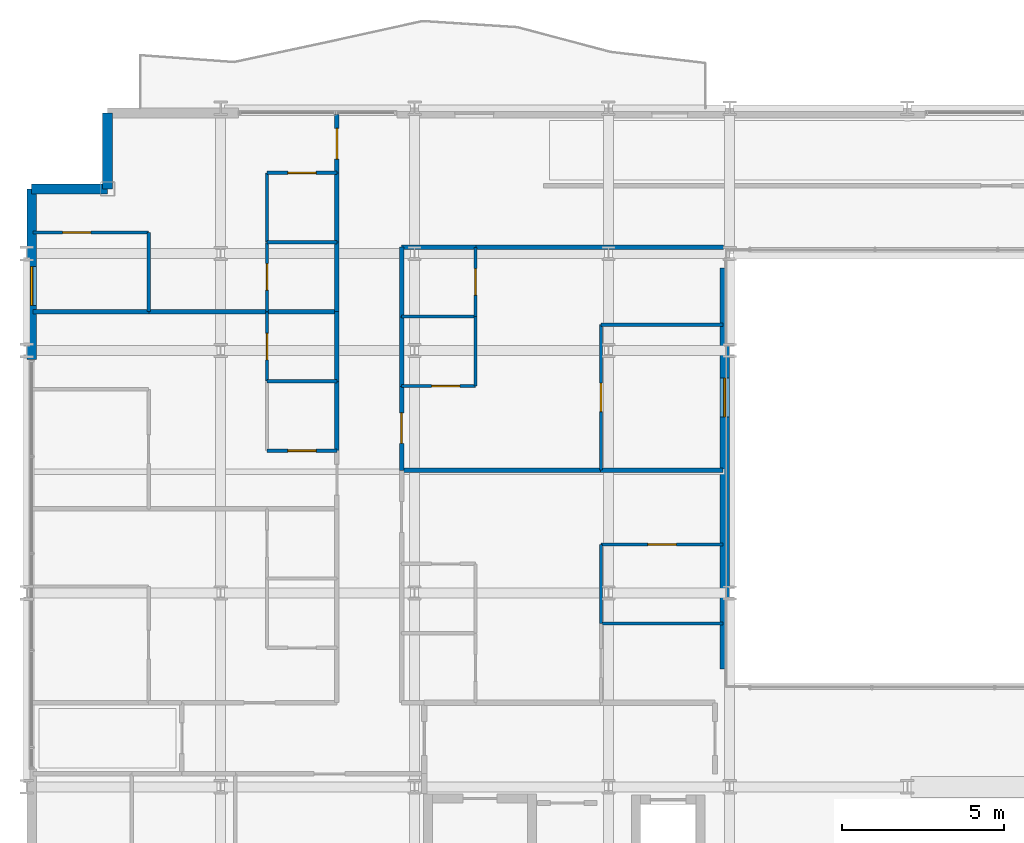
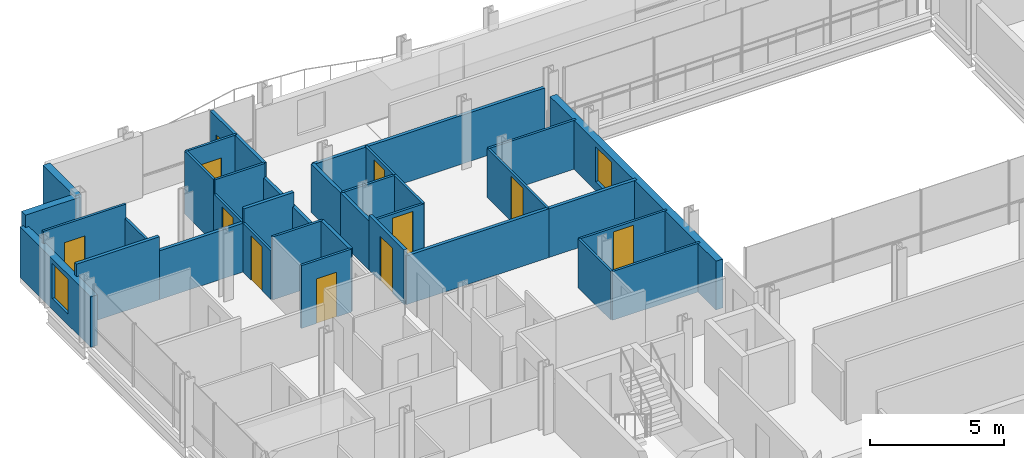
# One storey, part 33 of 41: 37 walls, 11 doors, 2 windows, 13 openings.
"""IFC4 building model written with IfcOpenShell, lengths in metres."""

from ifc_helpers import new_model, si_unit, direction, frame, frame_2d, origin, place, context, subcontext, project, spatial, rectangle, extrude, material, layer, layer_set, type_object, element, fill, save


model = new_model("IFC4")

# Units and contexts
model_context = context("Model", 3, precision=1e-05, world=origin(), true_north=direction((0.0, 1.0)))
body_context = subcontext(model_context, "Body", "Model", "MODEL_VIEW")
ifc_project = project(units=[si_unit("LENGTHUNIT", "METRE"), si_unit("AREAUNIT", "SQUARE_METRE"), si_unit("VOLUMEUNIT", "CUBIC_METRE"), si_unit("PLANEANGLEUNIT", "RADIAN"), si_unit("MASSUNIT", "GRAM", prefix="KILO")], contexts=[model_context])

# Site, building, storey
site_placement = place(None, origin())
site = spatial("IfcSite", under=ifc_project, at=site_placement, CompositionType="ELEMENT")
building_placement = place(site_placement, origin())
building = spatial("IfcBuilding", under=site, at=building_placement, Name="Brevholm Reach", CompositionType="ELEMENT")
storey_placement = place(building_placement, frame((0.0, 0.0, 86.89990234375)))
storey = spatial("IfcBuildingStorey", under=building, at=storey_placement, Name="L25", CompositionType="ELEMENT", Elevation=86.89990234375)

# Walls
ifc_material_1 = material(Name="Concrete C40/50", Category="concrete")
ifc_layer_1 = layer(ifc_material_1, 0.300048828125)
ifc_layer_set_1 = layer_set([ifc_layer_1], Name="Concrete C40/50")
wall_type_1 = type_object("IfcWallType", Name="WAL-EXT-300", PredefinedType="STANDARD", material=ifc_layer_set_1)
for number, where, z_axis, x_axis, name in (
    (1, (2.5, 30.85009765625, 0.0), (0.0, 0.0, 1.0), (0.0, -1.0, 0.0), "L25 Facade Wall WAL-L25-CNW1"),
    (2, (2.5, 28.5, 0.0), (0.0, 0.0, 1.0), (-1.0, 0.0, 0.0), "L25 Facade Wall WAL-L25-CNW2"),
):
    element("IfcWall", number, at=place(storey_placement, frame(where, z_axis=z_axis, x_axis=x_axis)), inside=storey, type_object=wall_type_1, Name=name, PredefinedType="STANDARD", context=body_context, shape_type="SweptSolid", body=[
        extrude(rectangle(XDim=2.35009765625, YDim=0.300048828125, at=frame_2d((1.175048828125, 0.0))), origin(), (0.0, 0.0, 1.0), 2.8701171875),
    ])

# Wall, opening, window
wall_1_placement = place(storey_placement, frame((0.14990234375, 28.5, 0.0), z_axis=(0.0, 0.0, 1.0), x_axis=(0.0, -1.0, 0.0)))
wall_1 = element("IfcWall", 3, at=wall_1_placement, inside=storey, type_object=wall_type_1, Name="L25 Facade Wall WAL-L25-W-N", PredefinedType="STANDARD", context=body_context, shape_type="SweptSolid", body=[
    extrude(rectangle(XDim=5.280029296875, YDim=0.300048828125, at=frame_2d((2.64013671875, 0.0))), origin(), (0.0, 0.0, 1.0), 2.3056640625),
])
opening_1_placement = place(wall_1_placement, frame((2.39990234375, 0.0, 0.485107421875)))
opening_1 = element("IfcOpeningElement", 4, at=opening_1_placement, cuts=wall_1, Name="Opening WN-08", PredefinedType="OPENING", context=body_context, shape_type="SweptSolid", body=[
    extrude(rectangle(XDim=1.199951171875, YDim=1.60009765625, at=frame_2d((0.60009765625, 0.800048828125))), frame((0.0, 0.159912109375, 0.0), z_axis=(0.0, -1.0, 0.0), x_axis=(1.0, 0.0, 0.0)), (0.0, 0.0, 1.0), 0.320068359375),
])
ifc_material_2 = material(Name="Dark Anodised Aluminium and Solar-Control IGU Glass", Category="aluminium")
window_type = type_object("IfcWindowType", Name="WIN-RES-1200", PartitioningType="SINGLE_PANEL", PredefinedType="WINDOW", material=ifc_material_2)
window_1_placement = place(opening_1_placement, origin())
window_1 = element("IfcWindow", 5, at=window_1_placement, inside=storey, type_object=window_type, Name="L25 Window WIN-L25-WN-1", OverallHeight=1.60009765625, OverallWidth=1.199951171875, PartitioningType="SINGLE_PANEL", PredefinedType="WINDOW", context=body_context, shape_type="SweptSolid", body=[
    extrude(rectangle(XDim=1.199951171875, YDim=1.60009765625, at=frame_2d((0.60009765625, 0.800048828125))), frame((0.0, 0.030029296875, 0.0), z_axis=(0.0, -1.0, 0.0), x_axis=(1.0, 0.0, 0.0)), (0.0, 0.0, 1.0), 0.06005859375),
])
fill(opening_1, window_1)

wall_2_placement = place(storey_placement, frame((21.60009765625, 26.050048828125, 0.0), z_axis=(0.0, 0.0, 1.0), x_axis=(0.0, -1.0, 0.0)))
wall_2 = element("IfcWall", 6, at=wall_2_placement, inside=storey, type_object=wall_type_1, Name="L25 Facade Wall WAL-L25-AT-W", PredefinedType="STANDARD", context=body_context, shape_type="SweptSolid", body=[
    extrude(rectangle(XDim=12.400146484375, YDim=0.300048828125, at=frame_2d((6.2001953125, 0.0))), origin(), (0.0, 0.0, 1.0), 2.224853515625),
])
opening_2_placement = place(wall_2_placement, frame((3.39990234375, 0.0, 0.405029296875)))
opening_2 = element("IfcOpeningElement", 7, at=opening_2_placement, cuts=wall_2, Name="Opening WN-08", PredefinedType="OPENING", context=body_context, shape_type="SweptSolid", body=[
    extrude(rectangle(XDim=1.199951171875, YDim=1.60009765625, at=frame_2d((0.60009765625, 0.800048828125))), frame((0.0, 0.159912109375, 0.0), z_axis=(0.0, -1.0, 0.0), x_axis=(1.0, 0.0, 0.0)), (0.0, 0.0, 1.0), 0.320068359375),
])
window_2_placement = place(opening_2_placement, origin())
window_2 = element("IfcWindow", 8, at=window_2_placement, inside=storey, type_object=window_type, Name="L25 Window WIN-L25-AT-W1", OverallHeight=1.60009765625, OverallWidth=1.199951171875, PartitioningType="SINGLE_PANEL", PredefinedType="WINDOW", context=body_context, shape_type="SweptSolid", body=[
    extrude(rectangle(XDim=1.199951171875, YDim=1.60009765625, at=frame_2d((0.60009765625, 0.800048828125))), frame((0.0, 0.030029296875, 0.0), z_axis=(0.0, -1.0, 0.0), x_axis=(1.0, 0.0, 0.0)), (0.0, 0.0, 1.0), 0.06005859375),
])
fill(opening_2, window_2)

# Wall
ifc_material_3 = material(Name="Moisture-Resistant Acoustic Gypsum Stud Partition 100 mm", Category="gypsum")
ifc_layer_2 = layer(ifc_material_3, 0.10009765625)
ifc_layer_set_2 = layer_set([ifc_layer_2], Name="Moisture-Resistant Acoustic Gypsum Stud Partition 100 mm")
wall_type_2 = type_object("IfcWallType", Name="WAL-PRT-100", PredefinedType="PARTITIONING", material=ifc_layer_set_2)
wall_3_placement = place(storey_placement, frame((7.43798828125, 22.550048828125, 0.0), z_axis=(0.0, 0.0, 1.0), x_axis=(1.0, 0.0, 0.0)))
element("IfcWall", 9, at=wall_3_placement, inside=storey, type_object=wall_type_2, Name="L25 Internal Partition 094", PredefinedType="PARTITIONING", context=body_context, shape_type="SweptSolid", body=[
    extrude(rectangle(XDim=2.157958984375, YDim=0.10009765625, at=frame_2d((1.0791015625, 0.0))), origin(), (0.0, 0.0, 1.0), 2.8701171875),
])

# Wall, opening, door
wall_4_placement = place(storey_placement, frame((7.43798828125, 22.550048828125, 0.0), z_axis=(0.0, 0.0, 1.0), x_axis=(0.0, 1.0, 0.0)))
wall_4 = element("IfcWall", 10, at=wall_4_placement, inside=storey, type_object=wall_type_2, Name="L25 Internal Partition 095", PredefinedType="PARTITIONING", context=body_context, shape_type="SweptSolid", body=[
    extrude(rectangle(XDim=2.14990234375, YDim=0.10009765625, at=frame_2d((1.074951171875, 0.0))), origin(), (0.0, 0.0, 1.0), 2.224853515625),
])
opening_3_placement = place(wall_4_placement, frame((0.6650390625, 0.0, 0.0)))
opening_3 = element("IfcOpeningElement", 11, at=opening_3_placement, cuts=wall_4, Name="Opening ID-03", PredefinedType="OPENING", context=body_context, shape_type="SweptSolid", body=[
    extrude(rectangle(XDim=0.820068359375, YDim=2.02001953125, at=frame_2d((0.41015625, 1.010009765625))), frame((0.0, 0.06005859375, 0.0), z_axis=(0.0, -1.0, 0.0), x_axis=(1.0, 0.0, 0.0)), (0.0, 0.0, 1.0), 0.1201171875),
])
ifc_material_4 = material(Name="Moisture-Resistant Painted Timber Internal Bathroom Door", Category="wood")
door_type_1 = type_object("IfcDoorType", Name="DOR-BATH-820", OperationType="NOTDEFINED", PredefinedType="DOOR", material=ifc_material_4)
door_1_placement = place(opening_3_placement, origin())
door_1 = element("IfcDoor", 12, at=door_1_placement, inside=storey, type_object=door_type_1, Name="L25 Internal Door 034", OperationType="SINGLE_SWING_LEFT", OverallHeight=2.02001953125, OverallWidth=0.820068359375, PredefinedType="DOOR", context=body_context, shape_type="SweptSolid", body=[
    extrude(rectangle(XDim=0.820068359375, YDim=2.02001953125, at=frame_2d((0.41015625, 1.010009765625))), frame((0.0, 0.02490234375, 0.0), z_axis=(0.0, -1.0, 0.0), x_axis=(1.0, 0.0, 0.0)), (0.0, 0.0, 1.0), 0.050048828125),
])
fill(opening_3, door_1)

wall_5_placement = place(storey_placement, frame((7.43798828125, 20.39990234375, 0.0), z_axis=(0.0, 0.0, 1.0), x_axis=(1.0, 0.0, 0.0)))
wall_5 = element("IfcWall", 13, at=wall_5_placement, inside=storey, type_object=wall_type_2, Name="L25 Internal Partition 097", PredefinedType="PARTITIONING", context=body_context, shape_type="SweptSolid", body=[
    extrude(rectangle(XDim=2.157958984375, YDim=0.10009765625, at=frame_2d((1.0791015625, 0.0))), origin(), (0.0, 0.0, 1.0), 2.8701171875),
])
opening_4_placement = place(wall_5_placement, frame((0.638916015625, 0.0, 0.0)))
opening_4 = element("IfcOpeningElement", 14, at=opening_4_placement, cuts=wall_5, Name="Opening ID-01", PredefinedType="OPENING", context=body_context, shape_type="SweptSolid", body=[
    extrude(rectangle(XDim=0.8798828125, YDim=2.0400390625, at=frame_2d((0.43994140625, 1.02001953125))), frame((0.0, 0.06005859375, 0.0), z_axis=(0.0, -1.0, 0.0), x_axis=(1.0, 0.0, 0.0)), (0.0, 0.0, 1.0), 0.1201171875),
])
ifc_material_5 = material(Name="Lacquered Ash Solid-Core Acoustic Internal Door", Category="timber")
door_type_2 = type_object("IfcDoorType", Name="DOR-INT-880", OperationType="NOTDEFINED", PredefinedType="DOOR", material=ifc_material_5)
door_2_placement = place(opening_4_placement, origin())
door_2 = element("IfcDoor", 15, at=door_2_placement, inside=storey, type_object=door_type_2, Name="L25 Internal Door 035", OperationType="SINGLE_SWING_RIGHT", OverallHeight=2.0400390625, OverallWidth=0.8798828125, PredefinedType="DOOR", context=body_context, shape_type="SweptSolid", body=[
    extrude(rectangle(XDim=0.8798828125, YDim=2.0400390625, at=frame_2d((0.43994140625, 1.02001953125))), frame((0.0, 0.02490234375, 0.0), z_axis=(0.0, -1.0, 0.0), x_axis=(1.0, 0.0, 0.0)), (0.0, 0.0, 1.0), 0.050048828125),
])
fill(opening_4, door_2)

# Wall
wall_6_placement = place(storey_placement, frame((7.43798828125, 26.85009765625, 0.0), z_axis=(0.0, 0.0, 1.0), x_axis=(1.0, 0.0, 0.0)))
element("IfcWall", 16, at=wall_6_placement, inside=storey, type_object=wall_type_2, Name="L25 Internal Partition 103", PredefinedType="PARTITIONING", context=body_context, shape_type="SweptSolid", body=[
    extrude(rectangle(XDim=2.157958984375, YDim=0.10009765625, at=frame_2d((1.0791015625, 0.0))), origin(), (0.0, 0.0, 1.0), 2.8701171875),
])

# Wall, opening, door
wall_7_placement = place(storey_placement, frame((7.43798828125, 24.7041015625, 0.0), z_axis=(0.0, 0.0, 1.0), x_axis=(0.0, 1.0, 0.0)))
wall_7 = element("IfcWall", 17, at=wall_7_placement, inside=storey, type_object=wall_type_2, Name="L25 Internal Partition 104", PredefinedType="PARTITIONING", context=body_context, shape_type="SweptSolid", body=[
    extrude(rectangle(XDim=2.14599609375, YDim=0.10009765625, at=frame_2d((1.072998046875, 0.0))), origin(), (0.0, 0.0, 1.0), 2.224853515625),
])
opening_5_placement = place(wall_7_placement, frame((0.6630859375, 0.0, 0.0)))
opening_5 = element("IfcOpeningElement", 18, at=opening_5_placement, cuts=wall_7, Name="Opening ID-03", PredefinedType="OPENING", context=body_context, shape_type="SweptSolid", body=[
    extrude(rectangle(XDim=0.820068359375, YDim=2.02001953125, at=frame_2d((0.41015625, 1.010009765625))), frame((0.0, 0.06005859375, 0.0), z_axis=(0.0, -1.0, 0.0), x_axis=(1.0, 0.0, 0.0)), (0.0, 0.0, 1.0), 0.1201171875),
])
door_3_placement = place(opening_5_placement, origin())
door_3 = element("IfcDoor", 19, at=door_3_placement, inside=storey, type_object=door_type_1, Name="L25 Internal Door 037", OperationType="SINGLE_SWING_RIGHT", OverallHeight=2.02001953125, OverallWidth=0.820068359375, PredefinedType="DOOR", context=body_context, shape_type="SweptSolid", body=[
    extrude(rectangle(XDim=0.820068359375, YDim=2.02001953125, at=frame_2d((0.41015625, 1.010009765625))), frame((0.0, 0.02490234375, 0.0), z_axis=(0.0, -1.0, 0.0), x_axis=(1.0, 0.0, 0.0)), (0.0, 0.0, 1.0), 0.050048828125),
])
fill(opening_5, door_3)

wall_8_placement = place(storey_placement, frame((7.43798828125, 29.0, 0.0), z_axis=(0.0, 0.0, 1.0), x_axis=(1.0, 0.0, 0.0)))
wall_8 = element("IfcWall", 20, at=wall_8_placement, inside=storey, type_object=wall_type_2, Name="L25 Internal Partition 105", PredefinedType="PARTITIONING", context=body_context, shape_type="SweptSolid", body=[
    extrude(rectangle(XDim=2.157958984375, YDim=0.10009765625, at=frame_2d((1.0791015625, 0.0))), origin(), (0.0, 0.0, 1.0), 2.8701171875),
])
opening_6_placement = place(wall_8_placement, frame((0.638916015625, 0.0, 0.0)))
opening_6 = element("IfcOpeningElement", 21, at=opening_6_placement, cuts=wall_8, Name="Opening ID-01", PredefinedType="OPENING", context=body_context, shape_type="SweptSolid", body=[
    extrude(rectangle(XDim=0.8798828125, YDim=2.0400390625, at=frame_2d((0.43994140625, 1.02001953125))), frame((0.0, 0.06005859375, 0.0), z_axis=(0.0, -1.0, 0.0), x_axis=(1.0, 0.0, 0.0)), (0.0, 0.0, 1.0), 0.1201171875),
])
door_4_placement = place(opening_6_placement, origin())
door_4 = element("IfcDoor", 22, at=door_4_placement, inside=storey, type_object=door_type_2, Name="L25 Internal Door 038", OperationType="SINGLE_SWING_LEFT", OverallHeight=2.0400390625, OverallWidth=0.8798828125, PredefinedType="DOOR", context=body_context, shape_type="SweptSolid", body=[
    extrude(rectangle(XDim=0.8798828125, YDim=2.0400390625, at=frame_2d((0.43994140625, 1.02001953125))), frame((0.0, 0.02490234375, 0.0), z_axis=(0.0, -1.0, 0.0), x_axis=(1.0, 0.0, 0.0)), (0.0, 0.0, 1.0), 0.050048828125),
])
fill(opening_6, door_4)

# Walls
wall_9_placement = place(storey_placement, frame((7.43798828125, 26.85400390625, 0.0), z_axis=(0.0, 0.0, 1.0), x_axis=(0.0, 1.0, 0.0)))
element("IfcWall", 23, at=wall_9_placement, inside=storey, type_object=wall_type_2, Name="L25 Internal Partition 106", PredefinedType="PARTITIONING", context=body_context, shape_type="SweptSolid", body=[
    extrude(rectangle(XDim=2.14599609375, YDim=0.10009765625, at=frame_2d((1.072998046875, 0.0))), origin(), (0.0, 0.0, 1.0), 2.8701171875),
])
wall_10_placement = place(storey_placement, frame((3.77197265625, 24.7041015625, 0.0), z_axis=(0.0, 0.0, 1.0), x_axis=(0.0, 1.0, 0.0)))
element("IfcWall", 24, at=wall_10_placement, inside=storey, type_object=wall_type_2, Name="L25 Internal Partition 107", PredefinedType="PARTITIONING", context=body_context, shape_type="SweptSolid", body=[
    extrude(rectangle(XDim=2.44580078125, YDim=0.10009765625, at=frame_2d((1.222900390625, 0.0))), origin(), (0.0, 0.0, 1.0), 2.224853515625),
])

# Wall, opening, door
wall_11_placement = place(storey_placement, frame((0.199951171875, 27.14990234375, 0.0), z_axis=(0.0, 0.0, 1.0), x_axis=(1.0, 0.0, 0.0)))
wall_11 = element("IfcWall", 25, at=wall_11_placement, inside=storey, type_object=wall_type_2, Name="L25 Internal Partition 108", PredefinedType="PARTITIONING", context=body_context, shape_type="SweptSolid", body=[
    extrude(rectangle(XDim=3.572021484375, YDim=0.10009765625, at=frame_2d((1.7861328125, 0.0))), origin(), (0.0, 0.0, 1.0), 2.8701171875),
])
opening_7_placement = place(wall_11_placement, frame((0.906005859375, 0.0, 0.0)))
opening_7 = element("IfcOpeningElement", 26, at=opening_7_placement, cuts=wall_11, Name="Opening ID-01", PredefinedType="OPENING", context=body_context, shape_type="SweptSolid", body=[
    extrude(rectangle(XDim=0.8798828125, YDim=2.0400390625, at=frame_2d((0.43994140625, 1.02001953125))), frame((0.0, 0.06005859375, 0.0), z_axis=(0.0, -1.0, 0.0), x_axis=(1.0, 0.0, 0.0)), (0.0, 0.0, 1.0), 0.1201171875),
])
door_5_placement = place(opening_7_placement, origin())
door_5 = element("IfcDoor", 27, at=door_5_placement, inside=storey, type_object=door_type_2, Name="L25 Internal Door 039", OperationType="SINGLE_SWING_RIGHT", OverallHeight=2.0400390625, OverallWidth=0.8798828125, PredefinedType="DOOR", context=body_context, shape_type="SweptSolid", body=[
    extrude(rectangle(XDim=0.8798828125, YDim=2.0400390625, at=frame_2d((0.43994140625, 1.02001953125))), frame((0.0, 0.02490234375, 0.0), z_axis=(0.0, -1.0, 0.0), x_axis=(1.0, 0.0, 0.0)), (0.0, 0.0, 1.0), 0.050048828125),
])
fill(opening_7, door_5)

# Wall
wall_12_placement = place(storey_placement, frame((17.76904296875, 15.050048828125, 0.0), z_axis=(0.0, 0.0, 1.0), x_axis=(1.0, 0.0, 0.0)))
element("IfcWall", 28, at=wall_12_placement, inside=storey, type_object=wall_type_2, Name="L25 Internal Partition 113", PredefinedType="PARTITIONING", context=body_context, shape_type="SweptSolid", body=[
    extrude(rectangle(XDim=3.781005859375, YDim=0.10009765625, at=frame_2d((1.890625, 0.0))), origin(), (0.0, 0.0, 1.0), 2.224853515625),
])

# Wall, opening, door
wall_13_placement = place(storey_placement, frame((17.76904296875, 17.5, 0.0), z_axis=(0.0, 0.0, 1.0), x_axis=(1.0, 0.0, 0.0)))
wall_13 = element("IfcWall", 29, at=wall_13_placement, inside=storey, type_object=wall_type_2, Name="L25 Internal Partition 115", PredefinedType="PARTITIONING", context=body_context, shape_type="SweptSolid", body=[
    extrude(rectangle(XDim=3.781005859375, YDim=0.10009765625, at=frame_2d((1.890625, 0.0))), origin(), (0.0, 0.0, 1.0), 2.224853515625),
])
opening_8_placement = place(wall_13_placement, frame((1.450439453125, 0.0, 0.0)))
opening_8 = element("IfcOpeningElement", 30, at=opening_8_placement, cuts=wall_13, Name="Opening ID-01", PredefinedType="OPENING", context=body_context, shape_type="SweptSolid", body=[
    extrude(rectangle(XDim=0.8798828125, YDim=2.0400390625, at=frame_2d((0.43994140625, 1.02001953125))), frame((0.0, 0.06005859375, 0.0), z_axis=(0.0, -1.0, 0.0), x_axis=(1.0, 0.0, 0.0)), (0.0, 0.0, 1.0), 0.1201171875),
])
door_6_placement = place(opening_8_placement, origin())
door_6 = element("IfcDoor", 31, at=door_6_placement, inside=storey, type_object=door_type_2, Name="L25 Internal Door 043", OperationType="SINGLE_SWING_RIGHT", OverallHeight=2.0400390625, OverallWidth=0.8798828125, PredefinedType="DOOR", context=body_context, shape_type="SweptSolid", body=[
    extrude(rectangle(XDim=0.8798828125, YDim=2.0400390625, at=frame_2d((0.43994140625, 1.02001953125))), frame((0.0, 0.02490234375, 0.0), z_axis=(0.0, -1.0, 0.0), x_axis=(1.0, 0.0, 0.0)), (0.0, 0.0, 1.0), 0.050048828125),
])
fill(opening_8, door_6)

# Walls
wall_14_placement = place(storey_placement, frame((17.76904296875, 15.053955078125, 0.0), z_axis=(0.0, 0.0, 1.0), x_axis=(0.0, 1.0, 0.0)))
element("IfcWall", 32, at=wall_14_placement, inside=storey, type_object=wall_type_2, Name="L25 Internal Partition 116", PredefinedType="PARTITIONING", context=body_context, shape_type="SweptSolid", body=[
    extrude(rectangle(XDim=2.446044921875, YDim=0.10009765625, at=frame_2d((1.22314453125, 0.0))), origin(), (0.0, 0.0, 1.0), 2.224853515625),
])
wall_15_placement = place(storey_placement, frame((11.60400390625, 24.550048828125, 0.0), z_axis=(0.0, 0.0, 1.0), x_axis=(1.0, 0.0, 0.0)))
element("IfcWall", 33, at=wall_15_placement, inside=storey, type_object=wall_type_2, Name="L25 Internal Partition 119", PredefinedType="PARTITIONING", context=body_context, shape_type="SweptSolid", body=[
    extrude(rectangle(XDim=2.284912109375, YDim=0.10009765625, at=frame_2d((1.142578125, 0.0))), origin(), (0.0, 0.0, 1.0), 2.224853515625),
])

# Wall, opening, door
wall_16_placement = place(storey_placement, frame((13.888916015625, 24.550048828125, 0.0), z_axis=(0.0, 0.0, 1.0), x_axis=(0.0, 1.0, 0.0)))
wall_16 = element("IfcWall", 34, at=wall_16_placement, inside=storey, type_object=wall_type_2, Name="L25 Internal Partition 120", PredefinedType="PARTITIONING", context=body_context, shape_type="SweptSolid", body=[
    extrude(rectangle(XDim=2.14599609375, YDim=0.10009765625, at=frame_2d((1.072998046875, 0.0))), origin(), (0.0, 0.0, 1.0), 2.224853515625),
])
opening_9_placement = place(wall_16_placement, frame((0.6630859375, 0.0, 0.0)))
opening_9 = element("IfcOpeningElement", 35, at=opening_9_placement, cuts=wall_16, Name="Opening ID-03", PredefinedType="OPENING", context=body_context, shape_type="SweptSolid", body=[
    extrude(rectangle(XDim=0.820068359375, YDim=2.02001953125, at=frame_2d((0.41015625, 1.010009765625))), frame((0.0, 0.06005859375, 0.0), z_axis=(0.0, -1.0, 0.0), x_axis=(1.0, 0.0, 0.0)), (0.0, 0.0, 1.0), 0.1201171875),
])
door_7_placement = place(opening_9_placement, origin())
door_7 = element("IfcDoor", 36, at=door_7_placement, inside=storey, type_object=door_type_1, Name="L25 Internal Door 044", OperationType="SINGLE_SWING_LEFT", OverallHeight=2.02001953125, OverallWidth=0.820068359375, PredefinedType="DOOR", context=body_context, shape_type="SweptSolid", body=[
    extrude(rectangle(XDim=0.820068359375, YDim=2.02001953125, at=frame_2d((0.41015625, 1.010009765625))), frame((0.0, 0.02490234375, 0.0), z_axis=(0.0, -1.0, 0.0), x_axis=(1.0, 0.0, 0.0)), (0.0, 0.0, 1.0), 0.050048828125),
])
fill(opening_9, door_7)

wall_17_placement = place(storey_placement, frame((11.60400390625, 22.39990234375, 0.0), z_axis=(0.0, 0.0, 1.0), x_axis=(1.0, 0.0, 0.0)))
wall_17 = element("IfcWall", 37, at=wall_17_placement, inside=storey, type_object=wall_type_2, Name="L25 Internal Partition 121", PredefinedType="PARTITIONING", context=body_context, shape_type="SweptSolid", body=[
    extrude(rectangle(XDim=2.284912109375, YDim=0.10009765625, at=frame_2d((1.142578125, 0.0))), origin(), (0.0, 0.0, 1.0), 2.224853515625),
])
opening_10_placement = place(wall_17_placement, frame((0.922607421875, 0.0, 0.0)))
opening_10 = element("IfcOpeningElement", 38, at=opening_10_placement, cuts=wall_17, Name="Opening ID-01", PredefinedType="OPENING", context=body_context, shape_type="SweptSolid", body=[
    extrude(rectangle(XDim=0.8798828125, YDim=2.0400390625, at=frame_2d((0.43994140625, 1.02001953125))), frame((0.0, 0.06005859375, 0.0), z_axis=(0.0, -1.0, 0.0), x_axis=(1.0, 0.0, 0.0)), (0.0, 0.0, 1.0), 0.1201171875),
])
door_8_placement = place(opening_10_placement, origin())
door_8 = element("IfcDoor", 39, at=door_8_placement, inside=storey, type_object=door_type_2, Name="L25 Internal Door 045", OperationType="SINGLE_SWING_RIGHT", OverallHeight=2.0400390625, OverallWidth=0.8798828125, PredefinedType="DOOR", context=body_context, shape_type="SweptSolid", body=[
    extrude(rectangle(XDim=0.8798828125, YDim=2.0400390625, at=frame_2d((0.43994140625, 1.02001953125))), frame((0.0, 0.02490234375, 0.0), z_axis=(0.0, -1.0, 0.0), x_axis=(1.0, 0.0, 0.0)), (0.0, 0.0, 1.0), 0.050048828125),
])
fill(opening_10, door_8)

# Walls
wall_18_placement = place(storey_placement, frame((13.888916015625, 22.39990234375, 0.0), z_axis=(0.0, 0.0, 1.0), x_axis=(0.0, 1.0, 0.0)))
element("IfcWall", 40, at=wall_18_placement, inside=storey, type_object=wall_type_2, Name="L25 Internal Partition 122", PredefinedType="PARTITIONING", context=body_context, shape_type="SweptSolid", body=[
    extrude(rectangle(XDim=2.14599609375, YDim=0.10009765625, at=frame_2d((1.072998046875, 0.0))), origin(), (0.0, 0.0, 1.0), 2.224853515625),
])
wall_19_placement = place(storey_placement, frame((17.76904296875, 24.300048828125, 0.0), z_axis=(0.0, 0.0, 1.0), x_axis=(1.0, 0.0, 0.0)))
element("IfcWall", 41, at=wall_19_placement, inside=storey, type_object=wall_type_2, Name="L25 Internal Partition 123", PredefinedType="PARTITIONING", context=body_context, shape_type="SweptSolid", body=[
    extrude(rectangle(XDim=3.781005859375, YDim=0.10009765625, at=frame_2d((1.890625, 0.0))), origin(), (0.0, 0.0, 1.0), 2.224853515625),
])

# Wall, opening, door
wall_20_placement = place(storey_placement, frame((17.76904296875, 19.803955078125, 0.0), z_axis=(0.0, 0.0, 1.0), x_axis=(0.0, 1.0, 0.0)))
wall_20 = element("IfcWall", 42, at=wall_20_placement, inside=storey, type_object=wall_type_2, Name="L25 Internal Partition 124", PredefinedType="PARTITIONING", context=body_context, shape_type="SweptSolid", body=[
    extrude(rectangle(XDim=4.49609375, YDim=0.10009765625, at=frame_2d((2.248046875, 0.0))), origin(), (0.0, 0.0, 1.0), 2.224853515625),
])
opening_11_placement = place(wall_20_placement, frame((1.80810546875, 0.0, 0.0)))
opening_11 = element("IfcOpeningElement", 43, at=opening_11_placement, cuts=wall_20, Name="Opening ID-01", PredefinedType="OPENING", context=body_context, shape_type="SweptSolid", body=[
    extrude(rectangle(XDim=0.8798828125, YDim=2.0400390625, at=frame_2d((0.43994140625, 1.02001953125))), frame((0.0, 0.06005859375, 0.0), z_axis=(0.0, -1.0, 0.0), x_axis=(1.0, 0.0, 0.0)), (0.0, 0.0, 1.0), 0.1201171875),
])
door_9_placement = place(opening_11_placement, origin())
door_9 = element("IfcDoor", 44, at=door_9_placement, inside=storey, type_object=door_type_2, Name="L25 Internal Door 046", OperationType="SINGLE_SWING_LEFT", OverallHeight=2.0400390625, OverallWidth=0.8798828125, PredefinedType="DOOR", context=body_context, shape_type="SweptSolid", body=[
    extrude(rectangle(XDim=0.8798828125, YDim=2.0400390625, at=frame_2d((0.43994140625, 1.02001953125))), frame((0.0, 0.02490234375, 0.0), z_axis=(0.0, -1.0, 0.0), x_axis=(1.0, 0.0, 0.0)), (0.0, 0.0, 1.0), 0.050048828125),
])
fill(opening_11, door_9)

# Walls
ifc_material_6 = material(Name="Twin-Stud Acoustic Fire-Rated Gypsum Partition 140 mm", Category="gypsum")
ifc_layer_3 = layer(ifc_material_6, 0.139892578125)
ifc_layer_set_3 = layer_set([ifc_layer_3], Name="Twin-Stud Acoustic Fire-Rated Gypsum Partition 140 mm")
wall_type_3 = type_object("IfcWallType", Name="WAL-PRT-140", PredefinedType="PARTITIONING", material=ifc_layer_set_3)
wall_21_placement = place(storey_placement, frame((9.60009765625, 22.538818359375, 0.0), z_axis=(0.0, 0.0, 1.0), x_axis=(0.0, 1.0, 0.0)))
element("IfcWall", 45, at=wall_21_placement, inside=storey, type_object=wall_type_3, Name="L25 Internal Partition 033", PredefinedType="PARTITIONING", context=body_context, shape_type="SweptSolid", body=[
    extrude(rectangle(XDim=2.17236328125, YDim=0.139892578125, at=frame_2d((1.086181640625, 0.0))), origin(), (0.0, 0.0, 1.0), 2.224853515625),
])
wall_22_placement = place(storey_placement, frame((9.60009765625, 20.388671875, 0.0), z_axis=(0.0, 0.0, 1.0), x_axis=(0.0, 1.0, 0.0)))
element("IfcWall", 46, at=wall_22_placement, inside=storey, type_object=wall_type_3, Name="L25 Internal Partition 034", PredefinedType="PARTITIONING", context=body_context, shape_type="SweptSolid", body=[
    extrude(rectangle(XDim=2.168701171875, YDim=0.139892578125, at=frame_2d((1.08447265625, 0.0))), origin(), (0.0, 0.0, 1.0), 2.8701171875),
])
wall_23_placement = place(storey_placement, frame((9.60009765625, 24.692626953125, 0.0), z_axis=(0.0, 0.0, 1.0), x_axis=(0.0, 1.0, 0.0)))
element("IfcWall", 47, at=wall_23_placement, inside=storey, type_object=wall_type_3, Name="L25 Internal Partition 036", PredefinedType="PARTITIONING", context=body_context, shape_type="SweptSolid", body=[
    extrude(rectangle(XDim=2.168701171875, YDim=0.139892578125, at=frame_2d((1.08447265625, 0.0))), origin(), (0.0, 0.0, 1.0), 2.224853515625),
])
wall_24_placement = place(storey_placement, frame((9.60009765625, 26.8427734375, 0.0), z_axis=(0.0, 0.0, 1.0), x_axis=(0.0, 1.0, 0.0)))
element("IfcWall", 48, at=wall_24_placement, inside=storey, type_object=wall_type_3, Name="L25 Internal Partition 037", PredefinedType="PARTITIONING", context=body_context, shape_type="SweptSolid", body=[
    extrude(rectangle(XDim=2.16845703125, YDim=0.139892578125, at=frame_2d((1.084228515625, 0.0))), origin(), (0.0, 0.0, 1.0), 2.8701171875),
])

# Wall, opening, door
wall_25_placement = place(storey_placement, frame((9.60009765625, 28.99267578125, 0.0), z_axis=(0.0, 0.0, 1.0), x_axis=(0.0, 1.0, 0.0)))
wall_25 = element("IfcWall", 49, at=wall_25_placement, inside=storey, type_object=wall_type_3, Name="L25 Internal Partition 038", PredefinedType="PARTITIONING", context=body_context, shape_type="SweptSolid", body=[
    extrude(rectangle(XDim=1.807373046875, YDim=0.139892578125, at=frame_2d((0.90380859375, 0.0))), origin(), (0.0, 0.0, 1.0), 2.8701171875),
])
opening_12_placement = place(wall_25_placement, frame((0.4287109375, 0.0, 0.0)))
opening_12 = element("IfcOpeningElement", 50, at=opening_12_placement, cuts=wall_25, Name="Opening ID-30", PredefinedType="OPENING", context=body_context, shape_type="SweptSolid", body=[
    extrude(rectangle(XDim=0.949951171875, YDim=2.050048828125, at=frame_2d((0.47509765625, 1.02490234375))), frame((0.0, 0.079833984375, 0.0), z_axis=(0.0, -1.0, 0.0), x_axis=(1.0, 0.0, 0.0)), (0.0, 0.0, 1.0), 0.159912109375),
])
ifc_material_7 = material(Name="European Oak Veneered Solid-Core Fire Entrance Door", Category="timber")
door_type_3 = type_object("IfcDoorType", Name="DOR-FLT-FD30S", OperationType="NOTDEFINED", PredefinedType="DOOR", material=ifc_material_7)
door_10_placement = place(opening_12_placement, origin())
door_10 = element("IfcDoor", 51, at=door_10_placement, inside=storey, type_object=door_type_3, Name="L25 Internal Door 017", OperationType="SINGLE_SWING_RIGHT", OverallHeight=2.050048828125, OverallWidth=0.949951171875, PredefinedType="DOOR", context=body_context, shape_type="SweptSolid", body=[
    extrude(rectangle(XDim=0.949951171875, YDim=2.050048828125, at=frame_2d((0.47509765625, 1.02490234375))), frame((0.0, 0.02490234375, 0.0), z_axis=(0.0, -1.0, 0.0), x_axis=(1.0, 0.0, 0.0)), (0.0, 0.0, 1.0), 0.050048828125),
])
fill(opening_12, door_10)

# Walls
wall_26_placement = place(storey_placement, frame((11.60009765625, 24.538818359375, 0.0), z_axis=(0.0, 0.0, 1.0), x_axis=(0.0, 1.0, 0.0)))
element("IfcWall", 52, at=wall_26_placement, inside=storey, type_object=wall_type_3, Name="L25 Internal Partition 042", PredefinedType="PARTITIONING", context=body_context, shape_type="SweptSolid", body=[
    extrude(rectangle(XDim=2.16845703125, YDim=0.139892578125, at=frame_2d((1.084228515625, 0.0))), origin(), (0.0, 0.0, 1.0), 2.224853515625),
])
wall_27_placement = place(storey_placement, frame((11.60009765625, 22.388671875, 0.0), z_axis=(0.0, 0.0, 1.0), x_axis=(0.0, 1.0, 0.0)))
element("IfcWall", 53, at=wall_27_placement, inside=storey, type_object=wall_type_3, Name="L25 Internal Partition 043", PredefinedType="PARTITIONING", context=body_context, shape_type="SweptSolid", body=[
    extrude(rectangle(XDim=2.168701171875, YDim=0.139892578125, at=frame_2d((1.08447265625, 0.0))), origin(), (0.0, 0.0, 1.0), 2.224853515625),
])

# Wall, opening, door
wall_28_placement = place(storey_placement, frame((11.60009765625, 19.792724609375, 0.0), z_axis=(0.0, 0.0, 1.0), x_axis=(0.0, 1.0, 0.0)))
wall_28 = element("IfcWall", 54, at=wall_28_placement, inside=storey, type_object=wall_type_3, Name="L25 Internal Partition 044", PredefinedType="PARTITIONING", context=body_context, shape_type="SweptSolid", body=[
    extrude(rectangle(XDim=2.614501953125, YDim=0.139892578125, at=frame_2d((1.30712890625, 0.0))), origin(), (0.0, 0.0, 1.0), 2.489990234375),
])
opening_13_placement = place(wall_28_placement, frame((0.832275390625, 0.0, 0.0)))
opening_13 = element("IfcOpeningElement", 55, at=opening_13_placement, cuts=wall_28, Name="Opening ID-30", PredefinedType="OPENING", context=body_context, shape_type="SweptSolid", body=[
    extrude(rectangle(XDim=0.949951171875, YDim=2.050048828125, at=frame_2d((0.47509765625, 1.02490234375))), frame((0.0, 0.079833984375, 0.0), z_axis=(0.0, -1.0, 0.0), x_axis=(1.0, 0.0, 0.0)), (0.0, 0.0, 1.0), 0.159912109375),
])
door_11_placement = place(opening_13_placement, origin())
door_11 = element("IfcDoor", 56, at=door_11_placement, inside=storey, type_object=door_type_3, Name="L25 Internal Door 019", OperationType="SINGLE_SWING_RIGHT", OverallHeight=2.050048828125, OverallWidth=0.949951171875, PredefinedType="DOOR", context=body_context, shape_type="SweptSolid", body=[
    extrude(rectangle(XDim=0.949951171875, YDim=2.050048828125, at=frame_2d((0.47509765625, 1.02490234375))), frame((0.0, 0.02490234375, 0.0), z_axis=(0.0, -1.0, 0.0), x_axis=(1.0, 0.0, 0.0)), (0.0, 0.0, 1.0), 0.050048828125),
])
fill(opening_13, door_11)

# Walls
wall_29_placement = place(storey_placement, frame((11.60400390625, 26.699951171875, 0.0), z_axis=(0.0, 0.0, 1.0), x_axis=(1.0, 0.0, 0.0)))
element("IfcWall", 57, at=wall_29_placement, inside=storey, type_object=wall_type_3, Name="L25 Internal Partition 057", PredefinedType="PARTITIONING", context=body_context, shape_type="SweptSolid", body=[
    extrude(rectangle(XDim=2.29638671875, YDim=0.139892578125, at=frame_2d((1.148193359375, 0.0))), origin(), (0.0, 0.0, 1.0), 2.224853515625),
])
wall_30_placement = place(storey_placement, frame((13.881591796875, 26.699951171875, 0.0), z_axis=(0.0, 0.0, 1.0), x_axis=(1.0, 0.0, 0.0)))
element("IfcWall", 58, at=wall_30_placement, inside=storey, type_object=wall_type_3, Name="L25 Internal Partition 058", PredefinedType="PARTITIONING", context=body_context, shape_type="SweptSolid", body=[
    extrude(rectangle(XDim=7.6796875, YDim=0.139892578125, at=frame_2d((3.83984375, 0.0))), origin(), (0.0, 0.0, 1.0), 2.224853515625),
])
wall_31_placement = place(storey_placement, frame((7.43798828125, 24.699951171875, 0.0), z_axis=(0.0, 0.0, 1.0), x_axis=(1.0, 0.0, 0.0)))
element("IfcWall", 59, at=wall_31_placement, inside=storey, type_object=wall_type_3, Name="L25 Internal Partition 096", PredefinedType="PARTITIONING", context=body_context, shape_type="SweptSolid", body=[
    extrude(rectangle(XDim=2.157958984375, YDim=0.139892578125, at=frame_2d((1.0791015625, 0.0))), origin(), (0.0, 0.0, 1.0), 2.8701171875),
])
wall_32_placement = place(storey_placement, frame((0.199951171875, 24.699951171875, 0.0), z_axis=(0.0, 0.0, 1.0), x_axis=(1.0, 0.0, 0.0)))
element("IfcWall", 60, at=wall_32_placement, inside=storey, type_object=wall_type_3, Name="L25 Internal Partition 101", PredefinedType="PARTITIONING", context=body_context, shape_type="SweptSolid", body=[
    extrude(rectangle(XDim=3.583251953125, YDim=0.139892578125, at=frame_2d((1.79150390625, 0.0))), origin(), (0.0, 0.0, 1.0), 2.8701171875),
])
wall_33_placement = place(storey_placement, frame((3.7646484375, 24.699951171875, 0.0), z_axis=(0.0, 0.0, 1.0), x_axis=(1.0, 0.0, 0.0)))
element("IfcWall", 61, at=wall_33_placement, inside=storey, type_object=wall_type_3, Name="L25 Internal Partition 102", PredefinedType="PARTITIONING", context=body_context, shape_type="SweptSolid", body=[
    extrude(rectangle(XDim=3.66943359375, YDim=0.139892578125, at=frame_2d((1.834716796875, 0.0))), origin(), (0.0, 0.0, 1.0), 2.224853515625),
])
wall_34_placement = place(storey_placement, frame((17.7578125, 19.800048828125, 0.0), z_axis=(0.0, 0.0, 1.0), x_axis=(1.0, 0.0, 0.0)))
element("IfcWall", 62, at=wall_34_placement, inside=storey, type_object=wall_type_3, Name="L25 Internal Partition 117", PredefinedType="PARTITIONING", context=body_context, shape_type="SweptSolid", body=[
    extrude(rectangle(XDim=3.792236328125, YDim=0.139892578125, at=frame_2d((1.89599609375, 0.0))), origin(), (0.0, 0.0, 1.0), 2.224853515625),
])
wall_35_placement = place(storey_placement, frame((11.60400390625, 19.800048828125, 0.0), z_axis=(0.0, 0.0, 1.0), x_axis=(1.0, 0.0, 0.0)))
element("IfcWall", 63, at=wall_35_placement, inside=storey, type_object=wall_type_3, Name="L25 Internal Partition 118", PredefinedType="PARTITIONING", context=body_context, shape_type="SweptSolid", body=[
    extrude(rectangle(XDim=6.17236328125, YDim=0.139892578125, at=frame_2d((3.086181640625, 0.0))), origin(), (0.0, 0.0, 1.0), 2.224853515625),
])

save(model, "model.ifc")
